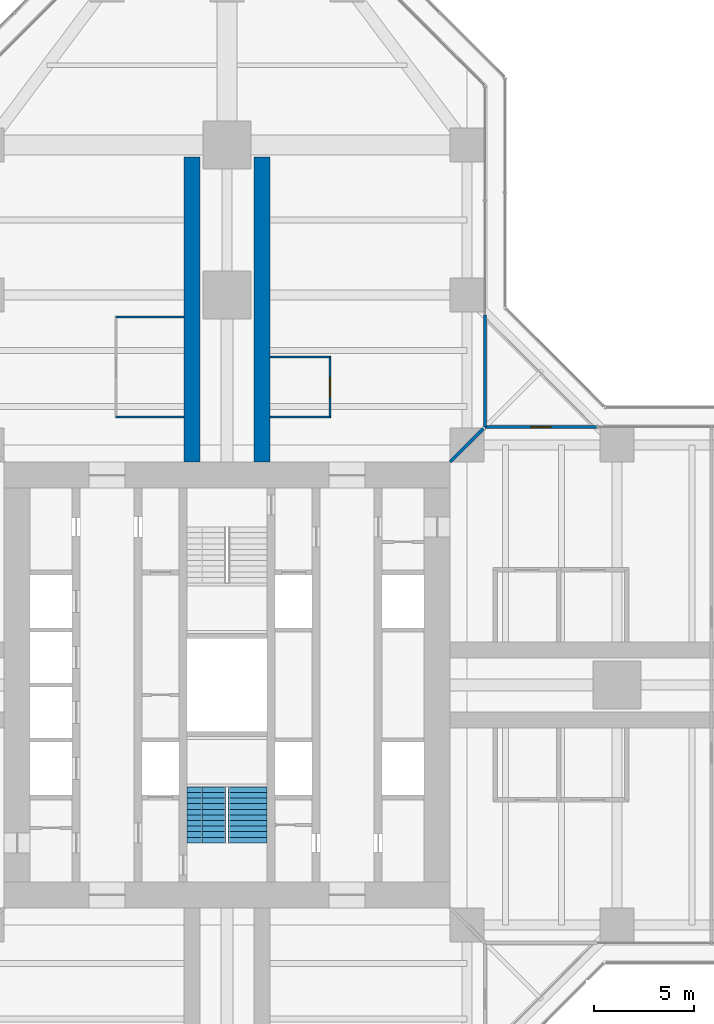
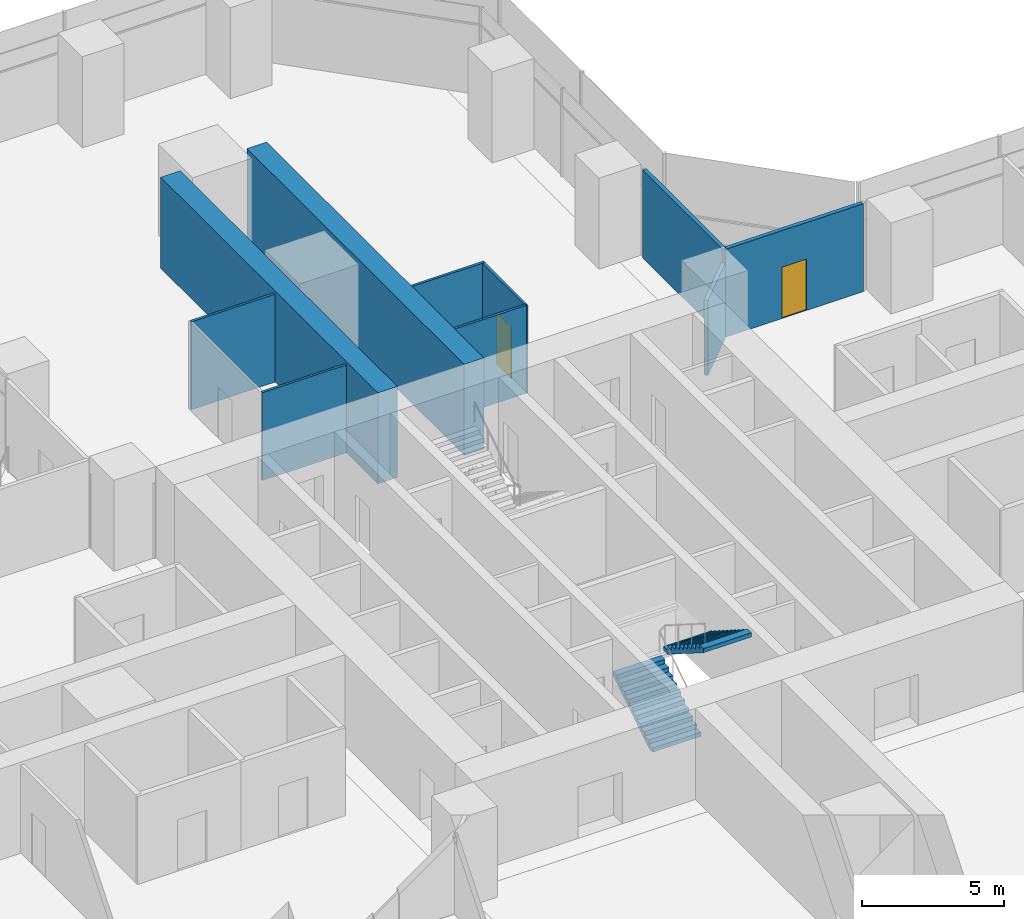
# One storey, part 20 of 22: 10 walls, 2 doors, 2 stair flights, 2 openings, 1 element without a shape of its own.
"""IFC4 building model written with IfcOpenShell, lengths in metres."""

from ifc_helpers import new_model, si_unit, direction, frame, frame_2d, origin, place, context, subcontext, project, spatial, polyline, rectangle, outline, extrude, material, layer, layer_set, type_object, element, fill, aggregate, save


model = new_model("IFC4")

# Units and contexts
model_context = context("Model", 3, precision=1e-05, world=origin(), true_north=direction((0.0, 1.0)))
body_context = subcontext(model_context, "Body", "Model", "MODEL_VIEW")
ifc_project = project(units=[si_unit("LENGTHUNIT", "METRE"), si_unit("AREAUNIT", "SQUARE_METRE"), si_unit("VOLUMEUNIT", "CUBIC_METRE"), si_unit("PLANEANGLEUNIT", "RADIAN"), si_unit("MASSUNIT", "GRAM", prefix="KILO")], contexts=[model_context])

# Site, building, storey
site_placement = place(None, origin())
site = spatial("IfcSite", under=ifc_project, at=site_placement, CompositionType="ELEMENT")
building_placement = place(site_placement, origin())
building = spatial("IfcBuilding", under=site, at=building_placement, Name="Mizan Broadcast Tower", CompositionType="ELEMENT")
storey_placement = place(building_placement, frame((0.0, 0.0, 55.199951171875)))
storey = spatial("IfcBuildingStorey", under=building, at=storey_placement, Name="L10", CompositionType="ELEMENT", Elevation=55.199951171875)

# Wall, opening, door
ifc_material_1 = material(Name="Aluminium framed glazed screen", Category="aluminium")
ifc_layer_1 = layer(ifc_material_1, 0.159912109375)
ifc_layer_set_1 = layer_set([ifc_layer_1], Name="Aluminium framed glazed screen")
wall_type_1 = type_object("IfcWallType", Name="GLAZED SCREEN WALL 160", PredefinedType="SOLIDWALL", material=ifc_layer_set_1)
wall_1_placement = place(storey_placement, frame((18.5, 12.89990234375, 0.0), z_axis=(0.0, 0.0, 1.0), x_axis=(-1.0, 0.0, 0.0)))
wall_1 = element("IfcWall", 1, at=wall_1_placement, inside=storey, type_object=wall_type_1, Name="Winter garden screen L10 E", PredefinedType="SOLIDWALL", context=body_context, shape_type="SweptSolid", body=[
    extrude(rectangle(XDim=5.60009765625, YDim=0.159912109375, at=frame_2d((2.800048828125, 0.0))), origin(), (0.0, 0.0, 1.0), 3.77001953125),
])
opening_1_placement = place(wall_1_placement, frame((2.300048828125, 0.0, 0.0)))
opening_1 = element("IfcOpeningElement", 2, at=opening_1_placement, cuts=wall_1, Name="Opening WGD", PredefinedType="OPENING", context=body_context, shape_type="SweptSolid", body=[
    extrude(rectangle(XDim=1.0, YDim=2.199951171875, at=frame_2d((0.5, 1.10009765625))), frame((0.0, 0.08984375, 0.0), z_axis=(0.0, -1.0, 0.0), x_axis=(1.0, 0.0, 0.0)), (0.0, 0.0, 1.0), 0.179931640625),
])
ifc_material_2 = material(Name="Aluminium framed glazed door", Category="aluminium")
door_type_1 = type_object("IfcDoorType", Name="WINTER GARDEN DOOR 1000 GLAZED", OperationType="SINGLE_SWING_LEFT", PredefinedType="DOOR", material=ifc_material_2)
door_1_placement = place(opening_1_placement, origin())
door_1 = element("IfcDoor", 3, at=door_1_placement, inside=storey, type_object=door_type_1, Name="Winter garden door L10 E", OperationType="SINGLE_SWING_RIGHT", OverallHeight=2.199951171875, OverallWidth=1.0, PredefinedType="DOOR", context=body_context, shape_type="SweptSolid", body=[
    extrude(rectangle(XDim=1.0, YDim=2.199951171875, at=frame_2d((0.5, 1.10009765625))), frame((0.0, 0.02490234375, 0.0), z_axis=(0.0, -1.0, 0.0), x_axis=(1.0, 0.0, 0.0)), (0.0, 0.0, 1.0), 0.050048828125),
])
fill(opening_1, door_1)

# Walls
wall_2_placement = place(storey_placement, frame((12.89990234375, 12.89990234375, 0.0), z_axis=(0.0, 0.0, 1.0), x_axis=(0.0, 1.0, 0.0)))
element("IfcWall", 4, at=wall_2_placement, inside=storey, type_object=wall_type_1, Name="Winter garden screen L10 N", PredefinedType="SOLIDWALL", context=body_context, shape_type="SweptSolid", body=[
    extrude(rectangle(XDim=5.60009765625, YDim=0.159912109375, at=frame_2d((2.800048828125, 0.0))), origin(), (0.0, 0.0, 1.0), 3.77001953125),
])
ifc_material_3 = material(Name="Gypsum board on steel studs", Category="steel")
ifc_layer_2 = layer(ifc_material_3, 0.14990234375)
ifc_layer_set_2 = layer_set([ifc_layer_2], Name="Gypsum board on steel studs")
wall_type_2 = type_object("IfcWallType", Name="PARTITION 150", PredefinedType="PARTITIONING", material=ifc_layer_set_2)
wall_3_placement = place(storey_placement, frame((11.14990234375, 11.14990234375, 0.0), z_axis=(0.0, 0.0, 1.0), x_axis=(0.707106781187, 0.707106781187, 0.0)))
element("IfcWall", 5, at=wall_3_placement, inside=storey, type_object=wall_type_2, Name="Partition PT/DGEN", PredefinedType="PARTITIONING", context=body_context, shape_type="SweptSolid", body=[
    extrude(rectangle(XDim=2.362060546875, YDim=0.14990234375, at=frame_2d((1.18115234375, 0.0))), origin(), (0.0, 0.0, 1.0), 3.219970703125),
])
ifc_material_4 = material(Name="Glazed aluminium partition on aluminium track", Category="aluminium")
ifc_layer_3 = layer(ifc_material_4, 0.10009765625)
ifc_layer_set_3 = layer_set([ifc_layer_3], Name="Glazed aluminium partition on aluminium track")
wall_type_3 = type_object("IfcWallType", Name="PARTITION GLAZED OFFICE FRONT 100", PredefinedType="PARTITIONING", material=ifc_layer_set_3)
for number, where, z_axis, x_axis, name in (
    (6, (-2.14990234375, 13.39990234375, 0.0), (0.0, 0.0, 1.0), (-1.0, 0.0, 0.0), "Glazed office front PT/NKP0a"),
    (7, (-2.14990234375, 18.39990234375, 0.0), (0.0, 0.0, 1.0), (-1.0, 0.0, 0.0), "Glazed office front PT/NKP0b"),
):
    element("IfcWall", number, at=place(storey_placement, frame(where, z_axis=z_axis, x_axis=x_axis)), inside=storey, type_object=wall_type_3, Name=name, PredefinedType="PARTITIONING", context=body_context, shape_type="SweptSolid", body=[
        extrude(rectangle(XDim=3.400146484375, YDim=0.10009765625, at=frame_2d((1.7001953125, 0.0))), origin(), (0.0, 0.0, 1.0), 3.77001953125),
    ])
for number, where, z_axis, x_axis, name in (
    (8, (2.14990234375, 13.39990234375, 0.0), (0.0, 0.0, 1.0), (1.0, 0.0, 0.0), "Glazed office front PT/NKN0a"),
    (9, (2.14990234375, 16.39990234375, 0.0), (0.0, 0.0, 1.0), (1.0, 0.0, 0.0), "Glazed office front PT/NKN0b"),
):
    element("IfcWall", number, at=place(storey_placement, frame(where, z_axis=z_axis, x_axis=x_axis)), inside=storey, type_object=wall_type_3, Name=name, PredefinedType="PARTITIONING", context=body_context, shape_type="SweptSolid", body=[
        extrude(rectangle(XDim=3.0, YDim=0.10009765625, at=frame_2d((1.5, 0.0))), origin(), (0.0, 0.0, 1.0), 3.77001953125),
    ])

# Wall, opening, door
wall_4_placement = place(storey_placement, frame((5.14990234375, 13.35009765625, 0.0), z_axis=(0.0, 0.0, 1.0), x_axis=(0.0, 1.0, 0.0)))
wall_4 = element("IfcWall", 10, at=wall_4_placement, inside=storey, type_object=wall_type_3, Name="Glazed office front PT/NKN0f", PredefinedType="PARTITIONING", context=body_context, shape_type="SweptSolid", body=[
    extrude(rectangle(XDim=3.099853515625, YDim=0.10009765625, at=frame_2d((1.5498046875, 0.0))), origin(), (0.0, 0.0, 1.0), 3.77001953125),
])
opening_2_placement = place(wall_4_placement, frame((1.050048828125, 0.0, 0.0)))
opening_2 = element("IfcOpeningElement", 11, at=opening_2_placement, cuts=wall_4, Name="Opening D10O", PredefinedType="OPENING", context=body_context, shape_type="SweptSolid", body=[
    extrude(rectangle(XDim=1.0, YDim=2.199951171875, at=frame_2d((0.5, 1.10009765625))), frame((0.0, 0.06005859375, 0.0), z_axis=(0.0, -1.0, 0.0), x_axis=(1.0, 0.0, 0.0)), (0.0, 0.0, 1.0), 0.1201171875),
])
ifc_material_5 = material(Name="Timber door leaf in aluminium frame", Category="wood")
door_type_2 = type_object("IfcDoorType", Name="OFFICE DOOR 1000 GLAZED", OperationType="SINGLE_SWING_LEFT", PredefinedType="DOOR", material=ifc_material_5)
door_2_placement = place(opening_2_placement, origin())
door_2 = element("IfcDoor", 12, at=door_2_placement, inside=storey, type_object=door_type_2, Name="Pantry door", OperationType="SINGLE_SWING_LEFT", OverallHeight=2.199951171875, OverallWidth=1.0, PredefinedType="DOOR", context=body_context, shape_type="SweptSolid", body=[
    extrude(rectangle(XDim=1.0, YDim=2.199951171875, at=frame_2d((0.5, 1.10009765625))), frame((0.0, 0.02490234375, 0.0), z_axis=(0.0, -1.0, 0.0), x_axis=(1.0, 0.0, 0.0)), (0.0, 0.0, 1.0), 0.050048828125),
])
fill(opening_2, door_2)

# Walls
ifc_material_6 = material(Name="Concrete C70/85", Category="concrete")
ifc_layer_4 = layer(ifc_material_6, 0.800048828125)
ifc_layer_set_4 = layer_set([ifc_layer_4], Name="Concrete C70/85")
wall_type_4 = type_object("IfcWallType", Name="SPINE WALL 800", PredefinedType="SHEAR", material=ifc_layer_set_4)
for number, where, z_axis, x_axis, name in (
    (13, (1.75, 11.14990234375, 0.0), (0.0, 0.0, 1.0), (0.0, 1.0, 0.0), "Spine wall NR L10"),
    (14, (-1.75, 11.14990234375, 0.0), (0.0, 0.0, 1.0), (0.0, 1.0, 0.0), "Spine wall NL L10"),
):
    element("IfcWall", number, at=place(storey_placement, frame(where, z_axis=z_axis, x_axis=x_axis)), inside=storey, type_object=wall_type_4, Name=name, PredefinedType="SHEAR", context=body_context, shape_type="SweptSolid", body=[
        extrude(rectangle(XDim=15.25, YDim=0.800048828125, at=frame_2d((7.625, 0.0))), origin(), (0.0, 0.0, 1.0), 3.900146484375),
    ])

# Stair, stair flights
ifc_material_7 = material(Name="Concrete C40/50", Category="concrete")
stair_type = type_object("IfcStairType", Name="EXIT STAIR", PredefinedType="HALF_TURN_STAIR", material=ifc_material_7)
stair_placement = place(storey_placement, origin())
stair = element("IfcStair", 15, at=stair_placement, inside=storey, type_object=stair_type, Name="Stair A L10", PredefinedType="HALF_TURN_STAIR")
ifc_material_8 = material(Name="Concrete C40/50", Category="concrete")
stair_flight_type = type_object("IfcStairFlightType", Name="EXIT STAIR FLIGHT", PredefinedType="STRAIGHT", material=ifc_material_8)
stair_flight_1_placement = place(storey_placement, frame((-1.02490234375, -7.89990234375, 0.0), z_axis=(0.0, 0.0, 1.0), x_axis=(0.0, 1.0, 0.0)))
stair_flight_1 = element("IfcStairFlight", 16, at=stair_flight_1_placement, type_object=stair_flight_type, Name="A flight 1", NumberOfRisers=11, NumberOfTreads=10, PredefinedType="STRAIGHT", RiserHeight=0.177272727, TreadLength=0.28, context=body_context, shape_type="SweptSolid", body=[
    extrude(outline(polyline([(0.0, 0.0), (0.0, 0.17724609375), (0.280029296875, 0.17724609375), (0.280029296875, 0.3544921875), (0.56005859375, 0.3544921875), (0.56005859375, 0.53173828125), (0.840087890625, 0.53173828125), (0.840087890625, 0.708984375), (1.1201171875, 0.708984375), (1.1201171875, 0.886474609375), (1.39990234375, 0.886474609375), (1.39990234375, 1.063720703125), (1.679931640625, 1.063720703125), (1.679931640625, 1.240966796875), (1.9599609375, 1.240966796875), (1.9599609375, 1.418212890625), (2.239990234375, 1.418212890625), (2.239990234375, 1.595458984375), (2.52001953125, 1.595458984375), (2.52001953125, 1.772705078125), (2.800048828125, 1.772705078125), (2.800048828125, 1.949951171875), (2.800048828125, 1.59521484375), (0.2802734375, 0.0), (0.0, 0.0)])), frame((0.0, 0.97509765625, 0.0), z_axis=(0.0, -1.0, 0.0), x_axis=(1.0, 0.0, 0.0)), (0.0, 0.0, 1.0), 0.4873046875),
    extrude(outline(polyline([(0.0, 0.0), (0.0, 0.17724609375), (0.280029296875, 0.17724609375), (0.280029296875, 0.3544921875), (0.56005859375, 0.3544921875), (0.56005859375, 0.53173828125), (0.840087890625, 0.53173828125), (0.840087890625, 0.708984375), (1.1201171875, 0.708984375), (1.1201171875, 0.886474609375), (1.39990234375, 0.886474609375), (1.39990234375, 1.063720703125), (1.679931640625, 1.063720703125), (1.679931640625, 1.240966796875), (1.9599609375, 1.240966796875), (1.9599609375, 1.418212890625), (2.239990234375, 1.418212890625), (2.239990234375, 1.595458984375), (2.52001953125, 1.595458984375), (2.52001953125, 1.772705078125), (2.800048828125, 1.772705078125), (2.800048828125, 1.949951171875), (2.800048828125, 1.59521484375), (0.2802734375, 0.0), (0.0, 0.0)])), frame((0.0, 0.4873046875, 0.0), z_axis=(0.0, -1.0, 0.0), x_axis=(1.0, 0.0, 0.0)), (0.0, 0.0, 1.0), 0.2431640625),
    extrude(outline(polyline([(0.0, 0.0), (0.0, 0.17724609375), (0.280029296875, 0.17724609375), (0.280029296875, 0.3544921875), (0.56005859375, 0.3544921875), (0.56005859375, 0.53173828125), (0.840087890625, 0.53173828125), (0.840087890625, 0.708984375), (1.1201171875, 0.708984375), (1.1201171875, 0.886474609375), (1.39990234375, 0.886474609375), (1.39990234375, 1.063720703125), (1.679931640625, 1.063720703125), (1.679931640625, 1.240966796875), (1.9599609375, 1.240966796875), (1.9599609375, 1.418212890625), (2.239990234375, 1.418212890625), (2.239990234375, 1.595458984375), (2.52001953125, 1.595458984375), (2.52001953125, 1.772705078125), (2.800048828125, 1.772705078125), (2.800048828125, 1.949951171875), (2.800048828125, 1.59521484375), (0.2802734375, 0.0), (0.0, 0.0)])), frame((0.0, 0.24365234375, 0.0), z_axis=(0.0, -1.0, 0.0), x_axis=(1.0, 0.0, 0.0)), (0.0, 0.0, 1.0), 0.121337890625),
    extrude(outline(polyline([(0.0, 0.0), (0.0, 0.17724609375), (0.280029296875, 0.17724609375), (0.280029296875, 0.3544921875), (0.56005859375, 0.3544921875), (0.56005859375, 0.53173828125), (0.840087890625, 0.53173828125), (0.840087890625, 0.708984375), (1.1201171875, 0.708984375), (1.1201171875, 0.886474609375), (1.39990234375, 0.886474609375), (1.39990234375, 1.063720703125), (1.679931640625, 1.063720703125), (1.679931640625, 1.240966796875), (1.9599609375, 1.240966796875), (1.9599609375, 1.418212890625), (2.239990234375, 1.418212890625), (2.239990234375, 1.595458984375), (2.52001953125, 1.595458984375), (2.52001953125, 1.772705078125), (2.800048828125, 1.772705078125), (2.800048828125, 1.949951171875), (2.800048828125, 1.59521484375), (0.2802734375, 0.0), (0.0, 0.0)])), frame((0.0, 0.121826171875, 0.0), z_axis=(0.0, -1.0, 0.0), x_axis=(1.0, 0.0, 0.0)), (0.0, 0.0, 1.0), 0.060546875),
    extrude(outline(polyline([(0.0, 0.0), (0.0, 0.17724609375), (0.280029296875, 0.17724609375), (0.280029296875, 0.3544921875), (0.56005859375, 0.3544921875), (0.56005859375, 0.53173828125), (0.840087890625, 0.53173828125), (0.840087890625, 0.708984375), (1.1201171875, 0.708984375), (1.1201171875, 0.886474609375), (1.39990234375, 0.886474609375), (1.39990234375, 1.063720703125), (1.679931640625, 1.063720703125), (1.679931640625, 1.240966796875), (1.9599609375, 1.240966796875), (1.9599609375, 1.418212890625), (2.239990234375, 1.418212890625), (2.239990234375, 1.595458984375), (2.52001953125, 1.595458984375), (2.52001953125, 1.772705078125), (2.800048828125, 1.772705078125), (2.800048828125, 1.949951171875), (2.800048828125, 1.59521484375), (0.2802734375, 0.0), (0.0, 0.0)])), frame((0.0, 0.060791015625, 0.0), z_axis=(0.0, -1.0, 0.0), x_axis=(1.0, 0.0, 0.0)), (0.0, 0.0, 1.0), 0.030029296875),
    extrude(outline(polyline([(0.0, 0.0), (0.0, 0.17724609375), (0.280029296875, 0.17724609375), (0.280029296875, 0.3544921875), (0.56005859375, 0.3544921875), (0.56005859375, 0.53173828125), (0.840087890625, 0.53173828125), (0.840087890625, 0.708984375), (1.1201171875, 0.708984375), (1.1201171875, 0.886474609375), (1.39990234375, 0.886474609375), (1.39990234375, 1.063720703125), (1.679931640625, 1.063720703125), (1.679931640625, 1.240966796875), (1.9599609375, 1.240966796875), (1.9599609375, 1.418212890625), (2.239990234375, 1.418212890625), (2.239990234375, 1.595458984375), (2.52001953125, 1.595458984375), (2.52001953125, 1.772705078125), (2.800048828125, 1.772705078125), (2.800048828125, 1.949951171875), (2.800048828125, 1.59521484375), (0.2802734375, 0.0), (0.0, 0.0)])), frame((0.0, 0.0302734375, 0.0), z_axis=(0.0, -1.0, 0.0), x_axis=(1.0, 0.0, 0.0)), (0.0, 0.0, 1.0), 0.060302734375),
    extrude(outline(polyline([(0.0, 0.0), (0.0, 0.17724609375), (0.280029296875, 0.17724609375), (0.280029296875, 0.3544921875), (0.56005859375, 0.3544921875), (0.56005859375, 0.53173828125), (0.840087890625, 0.53173828125), (0.840087890625, 0.708984375), (1.1201171875, 0.708984375), (1.1201171875, 0.886474609375), (1.39990234375, 0.886474609375), (1.39990234375, 1.063720703125), (1.679931640625, 1.063720703125), (1.679931640625, 1.240966796875), (1.9599609375, 1.240966796875), (1.9599609375, 1.418212890625), (2.239990234375, 1.418212890625), (2.239990234375, 1.595458984375), (2.52001953125, 1.595458984375), (2.52001953125, 1.772705078125), (2.800048828125, 1.772705078125), (2.800048828125, 1.949951171875), (2.800048828125, 1.59521484375), (0.2802734375, 0.0), (0.0, 0.0)])), frame((0.0, -0.030517578125, 0.0), z_axis=(0.0, -1.0, 0.0), x_axis=(1.0, 0.0, 0.0)), (0.0, 0.0, 1.0), 0.030029296875),
    extrude(outline(polyline([(0.0, 0.0), (0.0, 0.17724609375), (0.280029296875, 0.17724609375), (0.280029296875, 0.3544921875), (0.56005859375, 0.3544921875), (0.56005859375, 0.53173828125), (0.840087890625, 0.53173828125), (0.840087890625, 0.708984375), (1.1201171875, 0.708984375), (1.1201171875, 0.886474609375), (1.39990234375, 0.886474609375), (1.39990234375, 1.063720703125), (1.679931640625, 1.063720703125), (1.679931640625, 1.240966796875), (1.9599609375, 1.240966796875), (1.9599609375, 1.418212890625), (2.239990234375, 1.418212890625), (2.239990234375, 1.595458984375), (2.52001953125, 1.595458984375), (2.52001953125, 1.772705078125), (2.800048828125, 1.772705078125), (2.800048828125, 1.949951171875), (2.800048828125, 1.59521484375), (0.2802734375, 0.0), (0.0, 0.0)])), frame((0.0, -0.06103515625, 0.0), z_axis=(0.0, -1.0, 0.0), x_axis=(1.0, 0.0, 0.0)), (0.0, 0.0, 1.0), 0.060546875),
    extrude(outline(polyline([(0.0, 0.0), (0.0, 0.17724609375), (0.280029296875, 0.17724609375), (0.280029296875, 0.3544921875), (0.56005859375, 0.3544921875), (0.56005859375, 0.53173828125), (0.840087890625, 0.53173828125), (0.840087890625, 0.708984375), (1.1201171875, 0.708984375), (1.1201171875, 0.886474609375), (1.39990234375, 0.886474609375), (1.39990234375, 1.063720703125), (1.679931640625, 1.063720703125), (1.679931640625, 1.240966796875), (1.9599609375, 1.240966796875), (1.9599609375, 1.418212890625), (2.239990234375, 1.418212890625), (2.239990234375, 1.595458984375), (2.52001953125, 1.595458984375), (2.52001953125, 1.772705078125), (2.800048828125, 1.772705078125), (2.800048828125, 1.949951171875), (2.800048828125, 1.59521484375), (0.2802734375, 0.0), (0.0, 0.0)])), frame((0.0, -0.1220703125, 0.0), z_axis=(0.0, -1.0, 0.0), x_axis=(1.0, 0.0, 0.0)), (0.0, 0.0, 1.0), 0.121337890625),
    extrude(outline(polyline([(0.0, 0.0), (0.0, 0.17724609375), (0.280029296875, 0.17724609375), (0.280029296875, 0.3544921875), (0.56005859375, 0.3544921875), (0.56005859375, 0.53173828125), (0.840087890625, 0.53173828125), (0.840087890625, 0.708984375), (1.1201171875, 0.708984375), (1.1201171875, 0.886474609375), (1.39990234375, 0.886474609375), (1.39990234375, 1.063720703125), (1.679931640625, 1.063720703125), (1.679931640625, 1.240966796875), (1.9599609375, 1.240966796875), (1.9599609375, 1.418212890625), (2.239990234375, 1.418212890625), (2.239990234375, 1.595458984375), (2.52001953125, 1.595458984375), (2.52001953125, 1.772705078125), (2.800048828125, 1.772705078125), (2.800048828125, 1.949951171875), (2.800048828125, 1.59521484375), (0.2802734375, 0.0), (0.0, 0.0)])), frame((0.0, -0.243896484375, 0.0), z_axis=(0.0, -1.0, 0.0), x_axis=(1.0, 0.0, 0.0)), (0.0, 0.0, 1.0), 0.2431640625),
    extrude(outline(polyline([(0.0, 0.0), (0.0, 0.17724609375), (0.280029296875, 0.17724609375), (0.280029296875, 0.3544921875), (0.56005859375, 0.3544921875), (0.56005859375, 0.53173828125), (0.840087890625, 0.53173828125), (0.840087890625, 0.708984375), (1.1201171875, 0.708984375), (1.1201171875, 0.886474609375), (1.39990234375, 0.886474609375), (1.39990234375, 1.063720703125), (1.679931640625, 1.063720703125), (1.679931640625, 1.240966796875), (1.9599609375, 1.240966796875), (1.9599609375, 1.418212890625), (2.239990234375, 1.418212890625), (2.239990234375, 1.595458984375), (2.52001953125, 1.595458984375), (2.52001953125, 1.772705078125), (2.800048828125, 1.772705078125), (2.800048828125, 1.949951171875), (2.800048828125, 1.59521484375), (0.2802734375, 0.0), (0.0, 0.0)])), frame((0.0, -0.487548828125, 0.0), z_axis=(0.0, -1.0, 0.0), x_axis=(1.0, 0.0, 0.0)), (0.0, 0.0, 1.0), 0.4873046875),
])
stair_flight_2_placement = place(storey_placement, frame((1.02490234375, -5.10009765625, 1.949951171875), z_axis=(0.0, 0.0, 1.0), x_axis=(0.0, -1.0, 0.0)))
stair_flight_2 = element("IfcStairFlight", 17, at=stair_flight_2_placement, type_object=stair_flight_type, Name="A flight 2", NumberOfRisers=11, NumberOfTreads=10, PredefinedType="STRAIGHT", RiserHeight=0.177272727, TreadLength=0.28, context=body_context, shape_type="SweptSolid", body=[
    extrude(outline(polyline([(0.0, 0.0), (0.0, 0.17724609375), (0.280029296875, 0.17724609375), (0.280029296875, 0.3544921875), (0.56005859375, 0.3544921875), (0.56005859375, 0.53173828125), (0.840087890625, 0.53173828125), (0.840087890625, 0.708984375), (1.1201171875, 0.708984375), (1.1201171875, 0.886474609375), (1.39990234375, 0.886474609375), (1.39990234375, 1.063720703125), (1.679931640625, 1.063720703125), (1.679931640625, 1.240966796875), (1.9599609375, 1.240966796875), (1.9599609375, 1.418212890625), (2.239990234375, 1.418212890625), (2.239990234375, 1.595458984375), (2.52001953125, 1.595458984375), (2.52001953125, 1.772705078125), (2.800048828125, 1.772705078125), (2.800048828125, 1.949951171875), (2.800048828125, 1.59521484375), (0.2802734375, 0.0), (0.0, 0.0)])), frame((0.0, 0.97509765625, 0.0), z_axis=(0.0, -1.0, 0.0), x_axis=(1.0, 0.0, 0.0)), (0.0, 0.0, 1.0), 0.4873046875),
    extrude(outline(polyline([(0.0, 0.0), (0.0, 0.17724609375), (0.280029296875, 0.17724609375), (0.280029296875, 0.3544921875), (0.56005859375, 0.3544921875), (0.56005859375, 0.53173828125), (0.840087890625, 0.53173828125), (0.840087890625, 0.708984375), (1.1201171875, 0.708984375), (1.1201171875, 0.886474609375), (1.39990234375, 0.886474609375), (1.39990234375, 1.063720703125), (1.679931640625, 1.063720703125), (1.679931640625, 1.240966796875), (1.9599609375, 1.240966796875), (1.9599609375, 1.418212890625), (2.239990234375, 1.418212890625), (2.239990234375, 1.595458984375), (2.52001953125, 1.595458984375), (2.52001953125, 1.772705078125), (2.800048828125, 1.772705078125), (2.800048828125, 1.949951171875), (2.800048828125, 1.59521484375), (0.2802734375, 0.0), (0.0, 0.0)])), frame((0.0, 0.4873046875, 0.0), z_axis=(0.0, -1.0, 0.0), x_axis=(1.0, 0.0, 0.0)), (0.0, 0.0, 1.0), 0.2431640625),
    extrude(outline(polyline([(0.0, 0.0), (0.0, 0.17724609375), (0.280029296875, 0.17724609375), (0.280029296875, 0.3544921875), (0.56005859375, 0.3544921875), (0.56005859375, 0.53173828125), (0.840087890625, 0.53173828125), (0.840087890625, 0.708984375), (1.1201171875, 0.708984375), (1.1201171875, 0.886474609375), (1.39990234375, 0.886474609375), (1.39990234375, 1.063720703125), (1.679931640625, 1.063720703125), (1.679931640625, 1.240966796875), (1.9599609375, 1.240966796875), (1.9599609375, 1.418212890625), (2.239990234375, 1.418212890625), (2.239990234375, 1.595458984375), (2.52001953125, 1.595458984375), (2.52001953125, 1.772705078125), (2.800048828125, 1.772705078125), (2.800048828125, 1.949951171875), (2.800048828125, 1.59521484375), (0.2802734375, 0.0), (0.0, 0.0)])), frame((0.0, 0.24365234375, 0.0), z_axis=(0.0, -1.0, 0.0), x_axis=(1.0, 0.0, 0.0)), (0.0, 0.0, 1.0), 0.121337890625),
    extrude(outline(polyline([(0.0, 0.0), (0.0, 0.17724609375), (0.280029296875, 0.17724609375), (0.280029296875, 0.3544921875), (0.56005859375, 0.3544921875), (0.56005859375, 0.53173828125), (0.840087890625, 0.53173828125), (0.840087890625, 0.708984375), (1.1201171875, 0.708984375), (1.1201171875, 0.886474609375), (1.39990234375, 0.886474609375), (1.39990234375, 1.063720703125), (1.679931640625, 1.063720703125), (1.679931640625, 1.240966796875), (1.9599609375, 1.240966796875), (1.9599609375, 1.418212890625), (2.239990234375, 1.418212890625), (2.239990234375, 1.595458984375), (2.52001953125, 1.595458984375), (2.52001953125, 1.772705078125), (2.800048828125, 1.772705078125), (2.800048828125, 1.949951171875), (2.800048828125, 1.59521484375), (0.2802734375, 0.0), (0.0, 0.0)])), frame((0.0, 0.121826171875, 0.0), z_axis=(0.0, -1.0, 0.0), x_axis=(1.0, 0.0, 0.0)), (0.0, 0.0, 1.0), 0.060546875),
    extrude(outline(polyline([(0.0, 0.0), (0.0, 0.17724609375), (0.280029296875, 0.17724609375), (0.280029296875, 0.3544921875), (0.56005859375, 0.3544921875), (0.56005859375, 0.53173828125), (0.840087890625, 0.53173828125), (0.840087890625, 0.708984375), (1.1201171875, 0.708984375), (1.1201171875, 0.886474609375), (1.39990234375, 0.886474609375), (1.39990234375, 1.063720703125), (1.679931640625, 1.063720703125), (1.679931640625, 1.240966796875), (1.9599609375, 1.240966796875), (1.9599609375, 1.418212890625), (2.239990234375, 1.418212890625), (2.239990234375, 1.595458984375), (2.52001953125, 1.595458984375), (2.52001953125, 1.772705078125), (2.800048828125, 1.772705078125), (2.800048828125, 1.949951171875), (2.800048828125, 1.59521484375), (0.2802734375, 0.0), (0.0, 0.0)])), frame((0.0, 0.060791015625, 0.0), z_axis=(0.0, -1.0, 0.0), x_axis=(1.0, 0.0, 0.0)), (0.0, 0.0, 1.0), 0.030029296875),
    extrude(outline(polyline([(0.0, 0.0), (0.0, 0.17724609375), (0.280029296875, 0.17724609375), (0.280029296875, 0.3544921875), (0.56005859375, 0.3544921875), (0.56005859375, 0.53173828125), (0.840087890625, 0.53173828125), (0.840087890625, 0.708984375), (1.1201171875, 0.708984375), (1.1201171875, 0.886474609375), (1.39990234375, 0.886474609375), (1.39990234375, 1.063720703125), (1.679931640625, 1.063720703125), (1.679931640625, 1.240966796875), (1.9599609375, 1.240966796875), (1.9599609375, 1.418212890625), (2.239990234375, 1.418212890625), (2.239990234375, 1.595458984375), (2.52001953125, 1.595458984375), (2.52001953125, 1.772705078125), (2.800048828125, 1.772705078125), (2.800048828125, 1.949951171875), (2.800048828125, 1.59521484375), (0.2802734375, 0.0), (0.0, 0.0)])), frame((0.0, 0.0302734375, 0.0), z_axis=(0.0, -1.0, 0.0), x_axis=(1.0, 0.0, 0.0)), (0.0, 0.0, 1.0), 0.060302734375),
    extrude(outline(polyline([(0.0, 0.0), (0.0, 0.17724609375), (0.280029296875, 0.17724609375), (0.280029296875, 0.3544921875), (0.56005859375, 0.3544921875), (0.56005859375, 0.53173828125), (0.840087890625, 0.53173828125), (0.840087890625, 0.708984375), (1.1201171875, 0.708984375), (1.1201171875, 0.886474609375), (1.39990234375, 0.886474609375), (1.39990234375, 1.063720703125), (1.679931640625, 1.063720703125), (1.679931640625, 1.240966796875), (1.9599609375, 1.240966796875), (1.9599609375, 1.418212890625), (2.239990234375, 1.418212890625), (2.239990234375, 1.595458984375), (2.52001953125, 1.595458984375), (2.52001953125, 1.772705078125), (2.800048828125, 1.772705078125), (2.800048828125, 1.949951171875), (2.800048828125, 1.59521484375), (0.2802734375, 0.0), (0.0, 0.0)])), frame((0.0, -0.030517578125, 0.0), z_axis=(0.0, -1.0, 0.0), x_axis=(1.0, 0.0, 0.0)), (0.0, 0.0, 1.0), 0.030029296875),
    extrude(outline(polyline([(0.0, 0.0), (0.0, 0.17724609375), (0.280029296875, 0.17724609375), (0.280029296875, 0.3544921875), (0.56005859375, 0.3544921875), (0.56005859375, 0.53173828125), (0.840087890625, 0.53173828125), (0.840087890625, 0.708984375), (1.1201171875, 0.708984375), (1.1201171875, 0.886474609375), (1.39990234375, 0.886474609375), (1.39990234375, 1.063720703125), (1.679931640625, 1.063720703125), (1.679931640625, 1.240966796875), (1.9599609375, 1.240966796875), (1.9599609375, 1.418212890625), (2.239990234375, 1.418212890625), (2.239990234375, 1.595458984375), (2.52001953125, 1.595458984375), (2.52001953125, 1.772705078125), (2.800048828125, 1.772705078125), (2.800048828125, 1.949951171875), (2.800048828125, 1.59521484375), (0.2802734375, 0.0), (0.0, 0.0)])), frame((0.0, -0.06103515625, 0.0), z_axis=(0.0, -1.0, 0.0), x_axis=(1.0, 0.0, 0.0)), (0.0, 0.0, 1.0), 0.060546875),
    extrude(outline(polyline([(0.0, 0.0), (0.0, 0.17724609375), (0.280029296875, 0.17724609375), (0.280029296875, 0.3544921875), (0.56005859375, 0.3544921875), (0.56005859375, 0.53173828125), (0.840087890625, 0.53173828125), (0.840087890625, 0.708984375), (1.1201171875, 0.708984375), (1.1201171875, 0.886474609375), (1.39990234375, 0.886474609375), (1.39990234375, 1.063720703125), (1.679931640625, 1.063720703125), (1.679931640625, 1.240966796875), (1.9599609375, 1.240966796875), (1.9599609375, 1.418212890625), (2.239990234375, 1.418212890625), (2.239990234375, 1.595458984375), (2.52001953125, 1.595458984375), (2.52001953125, 1.772705078125), (2.800048828125, 1.772705078125), (2.800048828125, 1.949951171875), (2.800048828125, 1.59521484375), (0.2802734375, 0.0), (0.0, 0.0)])), frame((0.0, -0.1220703125, 0.0), z_axis=(0.0, -1.0, 0.0), x_axis=(1.0, 0.0, 0.0)), (0.0, 0.0, 1.0), 0.121337890625),
    extrude(outline(polyline([(0.0, 0.0), (0.0, 0.17724609375), (0.280029296875, 0.17724609375), (0.280029296875, 0.3544921875), (0.56005859375, 0.3544921875), (0.56005859375, 0.53173828125), (0.840087890625, 0.53173828125), (0.840087890625, 0.708984375), (1.1201171875, 0.708984375), (1.1201171875, 0.886474609375), (1.39990234375, 0.886474609375), (1.39990234375, 1.063720703125), (1.679931640625, 1.063720703125), (1.679931640625, 1.240966796875), (1.9599609375, 1.240966796875), (1.9599609375, 1.418212890625), (2.239990234375, 1.418212890625), (2.239990234375, 1.595458984375), (2.52001953125, 1.595458984375), (2.52001953125, 1.772705078125), (2.800048828125, 1.772705078125), (2.800048828125, 1.949951171875), (2.800048828125, 1.59521484375), (0.2802734375, 0.0), (0.0, 0.0)])), frame((0.0, -0.243896484375, 0.0), z_axis=(0.0, -1.0, 0.0), x_axis=(1.0, 0.0, 0.0)), (0.0, 0.0, 1.0), 0.2431640625),
    extrude(outline(polyline([(0.0, 0.0), (0.0, 0.17724609375), (0.280029296875, 0.17724609375), (0.280029296875, 0.3544921875), (0.56005859375, 0.3544921875), (0.56005859375, 0.53173828125), (0.840087890625, 0.53173828125), (0.840087890625, 0.708984375), (1.1201171875, 0.708984375), (1.1201171875, 0.886474609375), (1.39990234375, 0.886474609375), (1.39990234375, 1.063720703125), (1.679931640625, 1.063720703125), (1.679931640625, 1.240966796875), (1.9599609375, 1.240966796875), (1.9599609375, 1.418212890625), (2.239990234375, 1.418212890625), (2.239990234375, 1.595458984375), (2.52001953125, 1.595458984375), (2.52001953125, 1.772705078125), (2.800048828125, 1.772705078125), (2.800048828125, 1.949951171875), (2.800048828125, 1.59521484375), (0.2802734375, 0.0), (0.0, 0.0)])), frame((0.0, -0.487548828125, 0.0), z_axis=(0.0, -1.0, 0.0), x_axis=(1.0, 0.0, 0.0)), (0.0, 0.0, 1.0), 0.4873046875),
])
aggregate(stair, [stair_flight_1, stair_flight_2])

save(model, "model.ifc")
